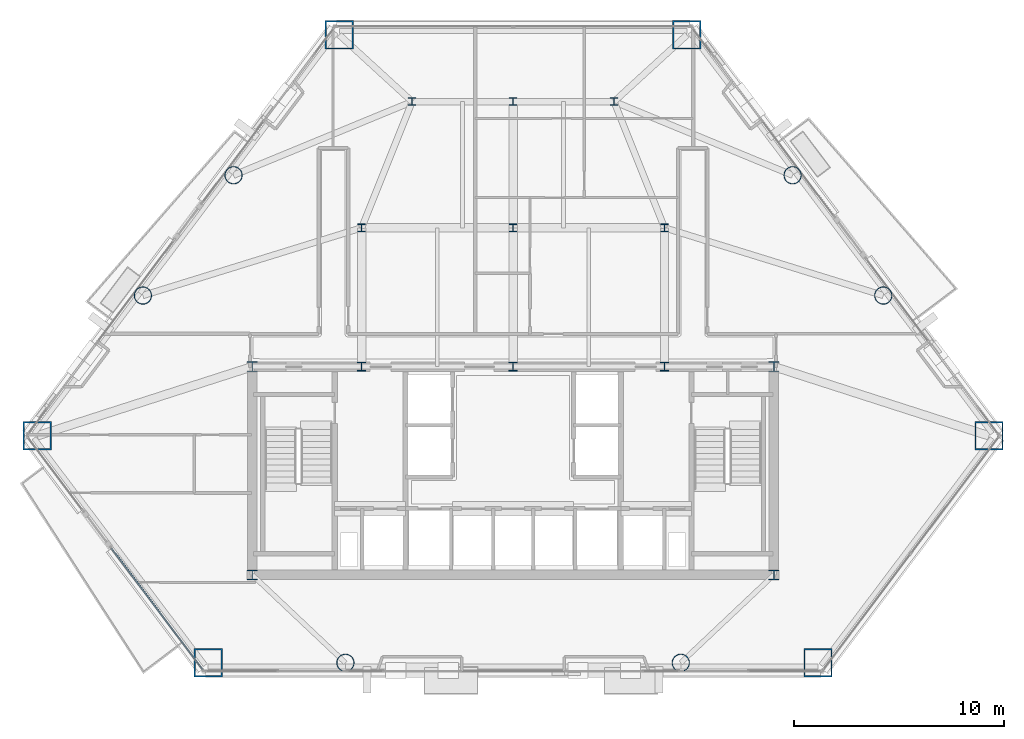
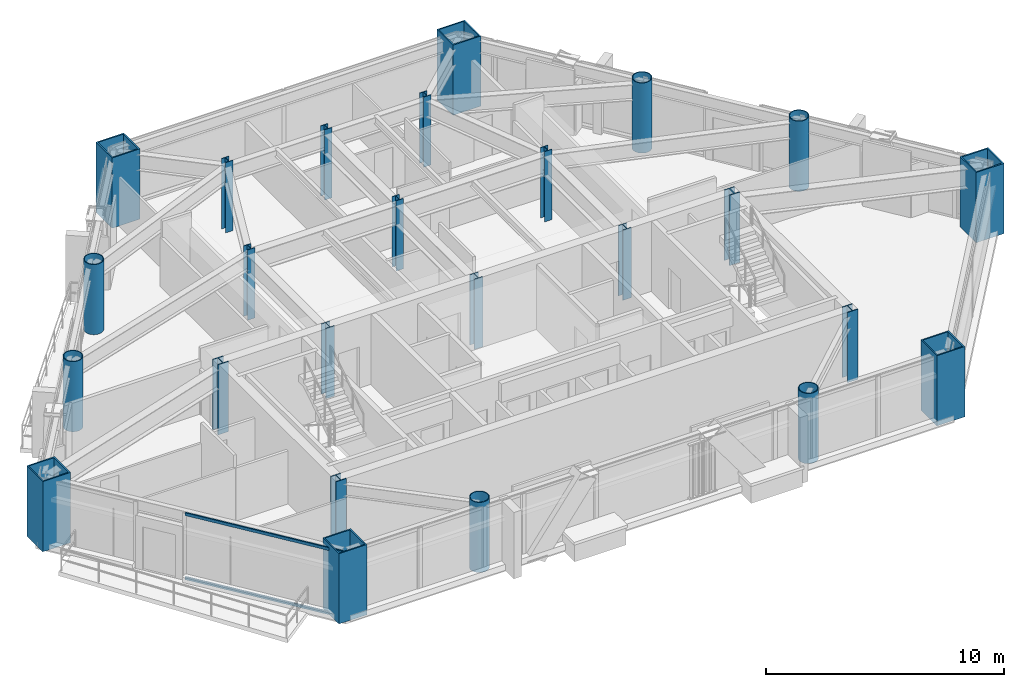
# One storey, part 1 of 10: 25 columns, 2 members, 1 element without a shape of its own.
"""IFC4 building model written with IfcOpenShell, lengths in metres."""

from ifc_helpers import new_model, si_unit, direction, frame, origin, origin_2d, place, context, subcontext, project, spatial, rectangle, hollow_rectangle, hollow_circle, i_section, extrude, material, layer, layer_set, material_profile, profile_set, type_object, element, aggregate, save


model = new_model("IFC4")

# Units and contexts
model_context = context("Model", 3, precision=1e-05, world=origin(), true_north=direction((0.0, 1.0)))
body_context = subcontext(model_context, "Body", "Model", "MODEL_VIEW")
ifc_project = project(units=[si_unit("LENGTHUNIT", "METRE"), si_unit("AREAUNIT", "SQUARE_METRE"), si_unit("VOLUMEUNIT", "CUBIC_METRE"), si_unit("PLANEANGLEUNIT", "RADIAN"), si_unit("MASSUNIT", "GRAM", prefix="KILO")], contexts=[model_context])

# Site, building, storey
site_placement = place(None, origin())
site = spatial("IfcSite", under=ifc_project, at=site_placement, CompositionType="ELEMENT")
building_placement = place(site_placement, origin())
building = spatial("IfcBuilding", under=site, at=building_placement, Name="Talgorran Terracotta Tower", CompositionType="ELEMENT")
storey_placement = place(building_placement, frame((0.0, 0.0, 31.5)))
storey = spatial("IfcBuildingStorey", under=building, at=storey_placement, Name="L07", CompositionType="ELEMENT", Elevation=31.5)

# Columns
ifc_material_1 = material(Name="Steel S355 (300PLUS)", Category="steel")
ifc_material_profile_1 = material_profile(ifc_material_1, i_section(OverallWidth=0.35009765625, OverallDepth=0.366943359375, WebThickness=0.02490234375, FlangeThickness=0.031982421875, at=origin_2d()), Name="350WC258")
ifc_profile_set_1 = profile_set([ifc_material_profile_1], Name="Steel S355 (300PLUS)")
column_type_1 = type_object("IfcColumnType", Name="COL_350WC258", PredefinedType="COLUMN", material=ifc_profile_set_1)
for number, where, z_axis, x_axis, name in (
    (1, (-7.199951171875, 2.39990234375, 0.0), (0.0, 0.0, 1.0), (1.0, 0.0, 0.0), "L07 Interior Gravity Column IC1"),
    (2, (0.0, 2.39990234375, 0.0), (0.0, 0.0, 1.0), (1.0, 0.0, 0.0), "L07 Interior Gravity Column IC2"),
    (3, (7.199951171875, 2.39990234375, 0.0), (0.0, 0.0, 1.0), (1.0, 0.0, 0.0), "L07 Interior Gravity Column IC3"),
    (4, (-4.800048828125, 8.39990234375, 0.0), (0.0, 0.0, 1.0), (1.0, 0.0, 0.0), "L07 Interior Gravity Column IC4"),
    (5, (0.0, 8.39990234375, 0.0), (0.0, 0.0, 1.0), (1.0, 0.0, 0.0), "L07 Interior Gravity Column IC5"),
    (6, (4.800048828125, 8.39990234375, 0.0), (0.0, 0.0, 1.0), (1.0, 0.0, 0.0), "L07 Interior Gravity Column IC6"),
):
    element("IfcColumn", number, at=place(storey_placement, frame(where, z_axis=z_axis, x_axis=x_axis)), inside=storey, type_object=column_type_1, Name=name, PredefinedType="COLUMN", context=body_context, shape_type="SweptSolid", body=[
        extrude(i_section(OverallWidth=0.35009765625, OverallDepth=0.366943359375, WebThickness=0.02490234375, FlangeThickness=0.031982421875, at=origin_2d()), origin(), (0.0, 0.0, 1.0), 3.60009765625),
    ])
ifc_material_profile_2 = material_profile(ifc_material_1, i_section(OverallWidth=0.5, OverallDepth=0.48193359375, WebThickness=0.0400390625, FlangeThickness=0.044921875, at=origin_2d()), Name="500WC440")
ifc_profile_set_2 = profile_set([ifc_material_profile_2], Name="Steel S355 (300PLUS)")
column_type_2 = type_object("IfcColumnType", Name="COL_500WC440", PredefinedType="COLUMN", material=ifc_profile_set_2)
for number, where, z_axis, x_axis, name in (
    (7, (-12.39990234375, -14.10009765625, 0.0), (0.0, 0.0, 1.0), (1.0, 0.0, 0.0), "L07 Core Boundary Column CC1"),
    (8, (12.39990234375, -14.10009765625, 0.0), (0.0, 0.0, 1.0), (1.0, 0.0, 0.0), "L07 Core Boundary Column CC2"),
    (9, (12.39990234375, -4.199951171875, 0.0), (0.0, 0.0, 1.0), (1.0, 0.0, 0.0), "L07 Core Boundary Column CC3"),
    (10, (-12.39990234375, -4.199951171875, 0.0), (0.0, 0.0, 1.0), (1.0, 0.0, 0.0), "L07 Core Boundary Column CC4"),
):
    element("IfcColumn", number, at=place(storey_placement, frame(where, z_axis=z_axis, x_axis=x_axis)), inside=storey, type_object=column_type_2, Name=name, PredefinedType="COLUMN", context=body_context, shape_type="SweptSolid", body=[
        extrude(i_section(OverallWidth=0.5, OverallDepth=0.48193359375, WebThickness=0.0400390625, FlangeThickness=0.044921875, at=origin_2d()), origin(), (0.0, 0.0, 1.0), 3.60009765625),
    ])
ifc_material_2 = material(Name="Steel Grade 350 (350L0)", Category="steel")
ifc_material_profile_3 = material_profile(ifc_material_2, hollow_rectangle(XDim=1.35009765625, YDim=1.35009765625, WallThickness=0.06494140625, at=origin_2d()), Name="CFT1350X1350X65")
ifc_profile_set_3 = profile_set([ifc_material_profile_3], Name="Steel Grade 350 (350L0)")
column_type_3 = type_object("IfcColumnType", Name="COL_CFT_1350", PredefinedType="COLUMN", material=ifc_profile_set_3)
for number, where, z_axis, x_axis, name in (
    (11, (-22.62646484375, -7.490478515625, 0.0), (0.0, 0.0, 1.0), (1.0, 0.0, 0.0), "L07 Corner CFT Mega-Column MC1"),
    (12, (-14.495849609375, -18.280029296875, 0.0), (0.0, 0.0, 1.0), (1.0, 0.0, 0.0), "L07 Corner CFT Mega-Column MC2"),
    (13, (14.495849609375, -18.280029296875, 0.0), (0.0, 0.0, 1.0), (1.0, 0.0, 0.0), "L07 Corner CFT Mega-Column MC3"),
    (14, (22.62646484375, -7.490478515625, 0.0), (0.0, 0.0, 1.0), (1.0, 0.0, 0.0), "L07 Corner CFT Mega-Column MC4"),
    (15, (8.26318359375, 11.5703125, 0.0), (0.0, 0.0, 1.0), (1.0, 0.0, 0.0), "L07 Corner CFT Mega-Column MC5"),
    (16, (-8.26318359375, 11.5703125, 0.0), (0.0, 0.0, 1.0), (1.0, 0.0, 0.0), "L07 Corner CFT Mega-Column MC6"),
):
    element("IfcColumn", number, at=place(storey_placement, frame(where, z_axis=z_axis, x_axis=x_axis)), inside=storey, type_object=column_type_3, Name=name, PredefinedType="COLUMN", context=body_context, shape_type="SweptSolid", body=[
        extrude(hollow_rectangle(XDim=1.35009765625, YDim=1.35009765625, WallThickness=0.06494140625, at=origin_2d()), origin(), (0.0, 0.0, 1.0), 3.60009765625),
    ])
ifc_material_profile_4 = material_profile(ifc_material_2, hollow_circle(Radius=0.425048828125, WallThickness=0.0380859375, at=origin_2d()), Name="CHS850X38")
ifc_profile_set_4 = profile_set([ifc_material_profile_4], Name="Steel Grade 350 (350L0)")
column_type_4 = type_object("IfcColumnType", Name="COL_CHS_850", PredefinedType="COLUMN", material=ifc_profile_set_4)
for number, where, z_axis, x_axis, name in (
    (17, (-7.97265625, -18.280029296875, 0.0), (0.0, 0.0, 1.0), (1.0, 0.0, 0.0), "L07 Facet Perimeter Column FC1"),
    (18, (7.97265625, -18.280029296875, 0.0), (0.0, 0.0, 1.0), (1.0, 0.0, 0.0), "L07 Facet Perimeter Column FC2"),
    (19, (17.599365234375, -0.819091796875, 0.0), (0.0, 0.0, 1.0), (1.0, 0.0, 0.0), "L07 Facet Perimeter Column FC3"),
    (20, (13.290283203125, 4.899169921875, 0.0), (0.0, 0.0, 1.0), (1.0, 0.0, 0.0), "L07 Facet Perimeter Column FC4"),
    (21, (-13.290283203125, 4.899169921875, 0.0), (0.0, 0.0, 1.0), (1.0, 0.0, 0.0), "L07 Facet Perimeter Column FC5"),
    (22, (-17.599365234375, -0.819091796875, 0.0), (0.0, 0.0, 1.0), (1.0, 0.0, 0.0), "L07 Facet Perimeter Column FC6"),
):
    element("IfcColumn", number, at=place(storey_placement, frame(where, z_axis=z_axis, x_axis=x_axis)), inside=storey, type_object=column_type_4, Name=name, PredefinedType="COLUMN", context=body_context, shape_type="SweptSolid", body=[
        extrude(hollow_circle(Radius=0.425048828125, WallThickness=0.0380859375, at=origin_2d()), origin(), (0.0, 0.0, 1.0), 3.60009765625),
    ])
ifc_material_profile_5 = material_profile(ifc_material_1, i_section(OverallWidth=0.405029296875, OverallDepth=0.4140625, WebThickness=0.02197265625, FlangeThickness=0.031982421875, at=origin_2d()), Name="400WC270")
ifc_profile_set_5 = profile_set([ifc_material_profile_5], Name="Steel S355 (300PLUS)")
column_type_5 = type_object("IfcColumnType", Name="COL_PIL_400WC270", PredefinedType="PILASTER", material=ifc_profile_set_5)
for number, where, z_axis, x_axis, name in (
    (23, (-7.199951171875, -4.199951171875, 0.0), (0.0, 0.0, 1.0), (1.0, 0.0, 0.0), "L07 Core Shear Pilaster CP1"),
    (24, (0.0, -4.199951171875, 0.0), (0.0, 0.0, 1.0), (1.0, 0.0, 0.0), "L07 Core Shear Pilaster CP2"),
    (25, (7.199951171875, -4.199951171875, 0.0), (0.0, 0.0, 1.0), (1.0, 0.0, 0.0), "L07 Core Shear Pilaster CP3"),
):
    element("IfcColumn", number, at=place(storey_placement, frame(where, z_axis=z_axis, x_axis=x_axis)), inside=storey, type_object=column_type_5, Name=name, PredefinedType="PILASTER", context=body_context, shape_type="SweptSolid", body=[
        extrude(i_section(OverallWidth=0.405029296875, OverallDepth=0.4140625, WebThickness=0.02197265625, FlangeThickness=0.031982421875, at=origin_2d()), origin(), (0.0, 0.0, 1.0), 3.60009765625),
    ])

# Curtain wall, members
ifc_material_3 = material(Name="Unitised Low-E Double Glazing", Category="glass")
ifc_layer = layer(ifc_material_3, 0.199951171875, Name="CW_SYS2_RES_LOW")
ifc_layer_set = layer_set([ifc_layer], Name="Unitised Low-E Double Glazing")
curtain_wall_type = type_object("IfcCurtainWallType", Name="CW_SYS2_RES_LOW", PredefinedType="NOTDEFINED", material=ifc_layer_set)
curtain_wall_placement = place(storey_placement, origin())
curtain_wall = element("IfcCurtainWall", 26, at=curtain_wall_placement, inside=storey, type_object=curtain_wall_type, Name="CW-L07-F11", PredefinedType="NOTDEFINED")
ifc_material_4 = material(Name="Architectural Aluminium 6063-T6", Category="aluminium")
ifc_material_profile_6 = material_profile(ifc_material_4, rectangle(XDim=0.06494140625, YDim=0.14990234375, at=origin_2d()), Name="CWT65X150")
ifc_profile_set_6 = profile_set([ifc_material_profile_6], Name="Architectural Aluminium 6063-T6")
member_type = type_object("IfcMemberType", Name="TRN_65X150", PredefinedType="USERDEFINED", material=ifc_profile_set_6)
member_1_placement = place(storey_placement, frame((-19.09423828125, -12.842529296875, 0.032470703125), z_axis=(0.60181484378, -0.798635645214, 0.0), x_axis=(0.798635645214, 0.60181484378, 0.0)))
member_1 = element("IfcMember", 27, at=member_1_placement, type_object=member_type, Name="CW-L07-11 transom 1.1", ObjectType="TRANSOM", PredefinedType="USERDEFINED", context=body_context, shape_type="SweptSolid", body=[
    extrude(rectangle(XDim=0.06494140625, YDim=0.14990234375, at=origin_2d()), origin(), (0.0, 0.0, 1.0), 7.204345703125),
])
member_2_placement = place(storey_placement, frame((-19.09423828125, -12.842529296875, 3.3173828125), z_axis=(0.60181484378, -0.798635645214, 0.0), x_axis=(0.798635645214, 0.60181484378, 0.0)))
member_2 = element("IfcMember", 28, at=member_2_placement, type_object=member_type, Name="CW-L07-11 transom 1.2", ObjectType="TRANSOM", PredefinedType="USERDEFINED", context=body_context, shape_type="SweptSolid", body=[
    extrude(rectangle(XDim=0.06494140625, YDim=0.14990234375, at=origin_2d()), origin(), (0.0, 0.0, 1.0), 7.204345703125),
])
aggregate(curtain_wall, [member_1, member_2])

save(model, "model.ifc")
